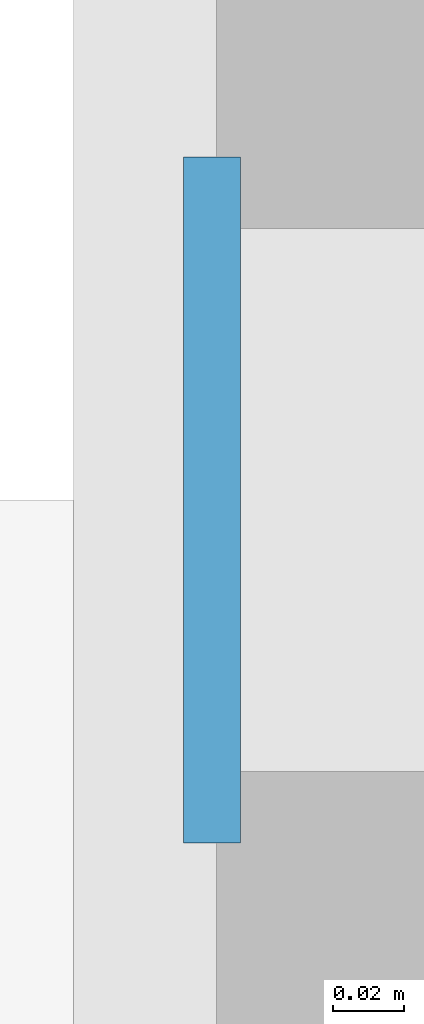
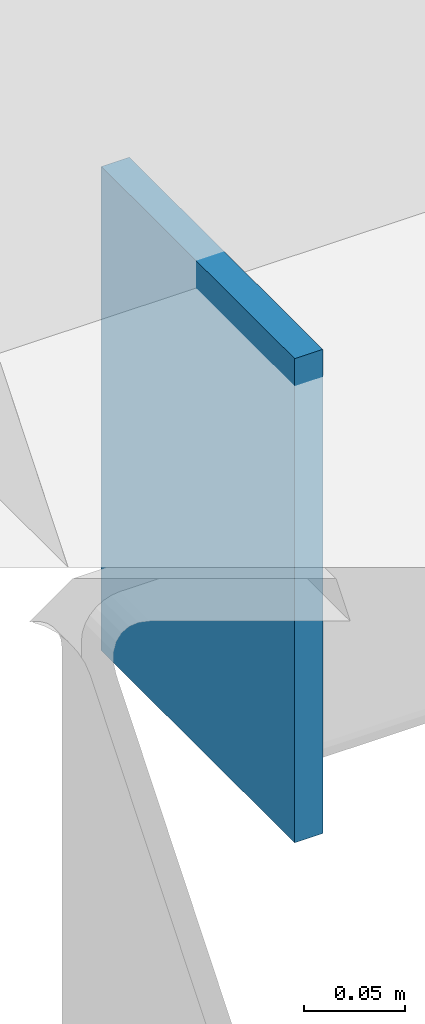
# One storey, part 138 of 186: 1 plate.
"""IFC4 building model written with IfcOpenShell, lengths in metres."""

from ifc_helpers import new_model, si_unit, direction, frame, origin, origin_2d, place, context, subcontext, project, spatial, rectangle, extrude, material, layer, layer_set, type_object, element, save


model = new_model("IFC4")

# Units and contexts
model_context = context("Model", 3, precision=1e-05, world=origin(), true_north=direction((0.0, 1.0)))
body_context = subcontext(model_context, "Body", "Model", "MODEL_VIEW")
ifc_project = project(units=[si_unit("LENGTHUNIT", "METRE"), si_unit("AREAUNIT", "SQUARE_METRE"), si_unit("VOLUMEUNIT", "CUBIC_METRE"), si_unit("PLANEANGLEUNIT", "RADIAN"), si_unit("MASSUNIT", "GRAM", prefix="KILO")], contexts=[model_context])

# Site, building, storey
site_placement = place(None, origin())
site = spatial("IfcSite", under=ifc_project, at=site_placement, CompositionType="ELEMENT")
building_placement = place(site_placement, origin())
building = spatial("IfcBuilding", under=site, at=building_placement, Name="Calvrana Isthmian Art Gallery", CompositionType="ELEMENT")
storey_placement = place(building_placement, frame((0.0, 0.0, 5.39990234375)))
storey = spatial("IfcBuildingStorey", under=building, at=storey_placement, Name="L01", CompositionType="ELEMENT", Elevation=5.39990234375)

# Plate
ifc_material = material(Name="Steel ASTM A572 Gr 50", Category="steel")
ifc_layer = layer(ifc_material, 0.01611328125, Name="Steel ASTM A572 Gr 50")
ifc_layer_set = layer_set([ifc_layer], Name="Steel ASTM A572 Gr 50")
plate_type = type_object("IfcPlateType", Name="PL-CAP-16", PredefinedType="SHEET", material=ifc_layer_set)
plate_placement = place(storey_placement, frame((63.785400390625, 62.0, -0.518798828125), z_axis=(0.0, 0.0, 1.0), x_axis=(1.0, 0.0, 0.0)))
element("IfcPlate", 1, at=plate_placement, inside=storey, type_object=plate_type, Name="Hollow section end cap plate 425", PredefinedType="SHEET", context=body_context, shape_type="SweptSolid", body=[
    extrude(rectangle(XDim=0.01611328125, YDim=0.1923828125, at=origin_2d()), origin(), (0.0, 0.0, 1.0), 0.2939453125),
])

save(model, "model.ifc")
